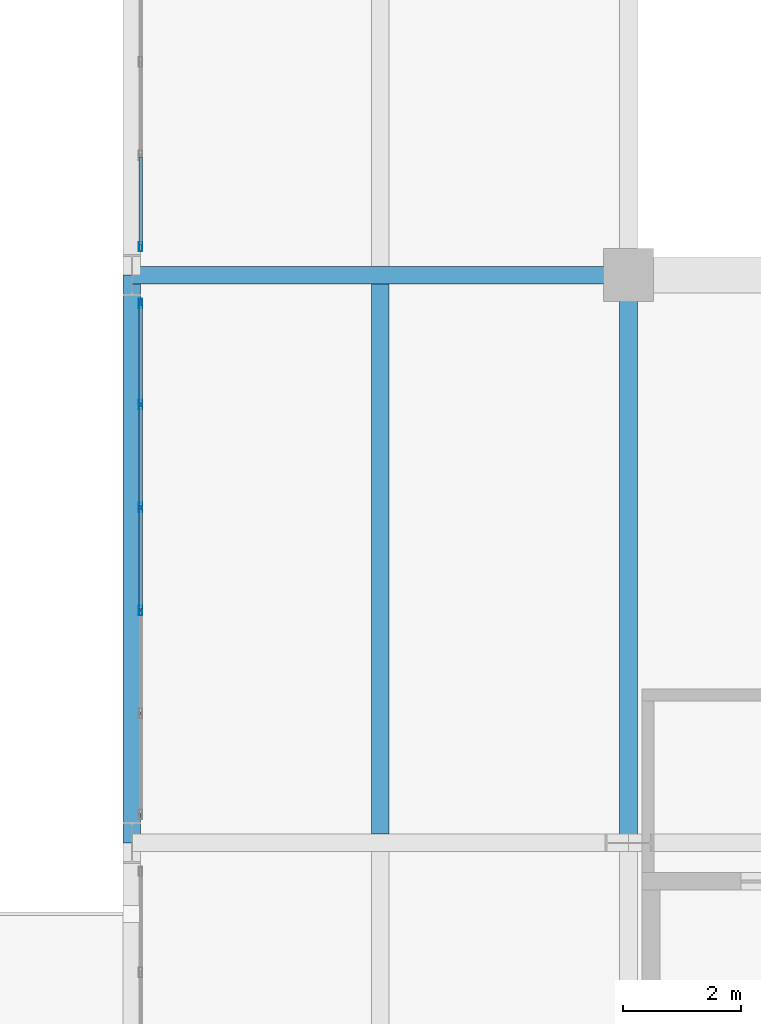
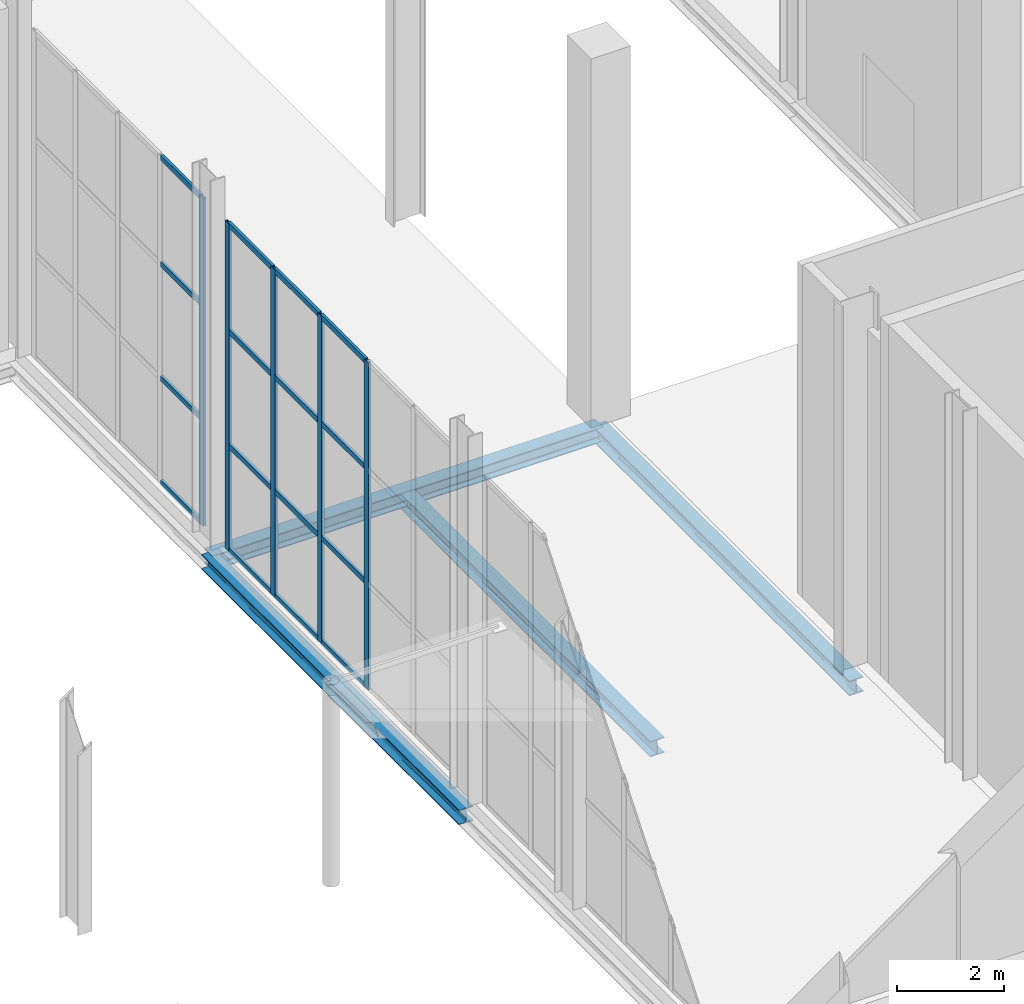
# One storey, part 19 of 131: 21 members, 4 beams, 2 elements without a shape of their own.
"""IFC4 building model written with IfcOpenShell, lengths in metres."""

from ifc_helpers import new_model, si_unit, direction, frame, origin, origin_2d, place, context, subcontext, project, spatial, hollow_rectangle, i_section, extrude, material, material_profile, profile_set, type_object, element, aggregate, save


model = new_model("IFC4")

# Units and contexts
model_context = context("Model", 3, precision=1e-05, world=origin(), true_north=direction((0.0, 1.0)))
body_context = subcontext(model_context, "Body", "Model", "MODEL_VIEW")
ifc_project = project(units=[si_unit("LENGTHUNIT", "METRE"), si_unit("AREAUNIT", "SQUARE_METRE"), si_unit("VOLUMEUNIT", "CUBIC_METRE"), si_unit("PLANEANGLEUNIT", "RADIAN"), si_unit("MASSUNIT", "GRAM", prefix="KILO")], contexts=[model_context])

# Site, building, storey
site_placement = place(None, origin())
site = spatial("IfcSite", under=ifc_project, at=site_placement, CompositionType="ELEMENT")
building_placement = place(site_placement, origin())
building = spatial("IfcBuilding", under=site, at=building_placement, Name="Veltarok Museum of Natural Sciences", CompositionType="ELEMENT")
storey_placement = place(building_placement, origin())
storey = spatial("IfcBuildingStorey", under=building, at=storey_placement, Name="L00", CompositionType="ELEMENT", Elevation=0.0)

# Curtain wall, members
ifc_material_1 = material(Name="Low-iron triple insulated glass", Category="glass")
curtain_wall_type_1 = type_object("IfcCurtainWallType", Name="Curtain Wall System CW-PAS-W-BC-870x745 (West Forecourt Passage B-C 870x745cm)", PredefinedType="NOTDEFINED", material=ifc_material_1)
curtain_wall_1_placement = place(storey_placement, origin())
curtain_wall_1 = element("IfcCurtainWall", 1, at=curtain_wall_1_placement, inside=storey, type_object=curtain_wall_type_1, Name="Curtain Wall CW-PAS-W-BC-870x745 CW-0022", PredefinedType="NOTDEFINED")
ifc_material_2 = material(Name="Thermally broken anodised aluminium", Category="aluminium")
ifc_material_profile_1 = material_profile(ifc_material_2, hollow_rectangle(XDim=0.06005859375, YDim=0.1201171875, WallThickness=0.0048828125, at=origin_2d()), Name="CW TRANSOM 60x120x5")
ifc_profile_set_1 = profile_set([ifc_material_profile_1], Name="Thermally broken anodised aluminium")
member_type_1 = type_object("IfcMemberType", Name="Curtain Wall Horizontal Transom 60x120x5", PredefinedType="USERDEFINED", material=ifc_profile_set_1)
member_1_placement = place(storey_placement, frame((23.35009765625, 13.56005859375, 0.030029296875), z_axis=(0.0, 1.0, 0.0), x_axis=(-1.0, 0.0, 0.0)))
member_1 = element("IfcMember", 2, at=member_1_placement, type_object=member_type_1, Name="CW-PAS-W-BC-870x745 transom 3.1", ObjectType="TRANSOM", PredefinedType="USERDEFINED", context=body_context, shape_type="SweptSolid", body=[
    extrude(hollow_rectangle(XDim=0.06005859375, YDim=0.1201171875, WallThickness=0.0048828125, at=origin_2d()), origin(), (0.0, 0.0, 1.0), 1.679931640625),
])
member_2_placement = place(storey_placement, frame((23.35009765625, 13.56005859375, 2.39990234375), z_axis=(0.0, 1.0, 0.0), x_axis=(-1.0, 0.0, 0.0)))
member_2 = element("IfcMember", 3, at=member_2_placement, type_object=member_type_1, Name="CW-PAS-W-BC-870x745 transom 3.2", ObjectType="TRANSOM", PredefinedType="USERDEFINED", context=body_context, shape_type="SweptSolid", body=[
    extrude(hollow_rectangle(XDim=0.06005859375, YDim=0.1201171875, WallThickness=0.0048828125, at=origin_2d()), origin(), (0.0, 0.0, 1.0), 1.679931640625),
])
member_3_placement = place(storey_placement, frame((23.35009765625, 13.56005859375, 5.0), z_axis=(0.0, 1.0, 0.0), x_axis=(-1.0, 0.0, 0.0)))
member_3 = element("IfcMember", 4, at=member_3_placement, type_object=member_type_1, Name="CW-PAS-W-BC-870x745 transom 3.3", ObjectType="TRANSOM", PredefinedType="USERDEFINED", context=body_context, shape_type="SweptSolid", body=[
    extrude(hollow_rectangle(XDim=0.06005859375, YDim=0.1201171875, WallThickness=0.0048828125, at=origin_2d()), origin(), (0.0, 0.0, 1.0), 1.679931640625),
])
member_4_placement = place(storey_placement, frame((23.35009765625, 13.56005859375, 7.419921875), z_axis=(0.0, 1.0, 0.0), x_axis=(-1.0, 0.0, 0.0)))
member_4 = element("IfcMember", 5, at=member_4_placement, type_object=member_type_1, Name="CW-PAS-W-BC-870x745 transom 3.4", ObjectType="TRANSOM", PredefinedType="USERDEFINED", context=body_context, shape_type="SweptSolid", body=[
    extrude(hollow_rectangle(XDim=0.06005859375, YDim=0.1201171875, WallThickness=0.0048828125, at=origin_2d()), origin(), (0.0, 0.0, 1.0), 1.679931640625),
])
member_5_placement = place(storey_placement, frame((23.35009765625, 15.300048828125, 0.030029296875), z_axis=(0.0, 1.0, 0.0), x_axis=(-1.0, 0.0, 0.0)))
member_5 = element("IfcMember", 6, at=member_5_placement, type_object=member_type_1, Name="CW-PAS-W-BC-870x745 transom 4.1", ObjectType="TRANSOM", PredefinedType="USERDEFINED", context=body_context, shape_type="SweptSolid", body=[
    extrude(hollow_rectangle(XDim=0.06005859375, YDim=0.1201171875, WallThickness=0.0048828125, at=origin_2d()), origin(), (0.0, 0.0, 1.0), 1.679931640625),
])
member_6_placement = place(storey_placement, frame((23.35009765625, 15.300048828125, 2.39990234375), z_axis=(0.0, 1.0, 0.0), x_axis=(-1.0, 0.0, 0.0)))
member_6 = element("IfcMember", 7, at=member_6_placement, type_object=member_type_1, Name="CW-PAS-W-BC-870x745 transom 4.2", ObjectType="TRANSOM", PredefinedType="USERDEFINED", context=body_context, shape_type="SweptSolid", body=[
    extrude(hollow_rectangle(XDim=0.06005859375, YDim=0.1201171875, WallThickness=0.0048828125, at=origin_2d()), origin(), (0.0, 0.0, 1.0), 1.679931640625),
])
member_7_placement = place(storey_placement, frame((23.35009765625, 15.300048828125, 5.0), z_axis=(0.0, 1.0, 0.0), x_axis=(-1.0, 0.0, 0.0)))
member_7 = element("IfcMember", 8, at=member_7_placement, type_object=member_type_1, Name="CW-PAS-W-BC-870x745 transom 4.3", ObjectType="TRANSOM", PredefinedType="USERDEFINED", context=body_context, shape_type="SweptSolid", body=[
    extrude(hollow_rectangle(XDim=0.06005859375, YDim=0.1201171875, WallThickness=0.0048828125, at=origin_2d()), origin(), (0.0, 0.0, 1.0), 1.679931640625),
])
member_8_placement = place(storey_placement, frame((23.35009765625, 15.300048828125, 7.419921875), z_axis=(0.0, 1.0, 0.0), x_axis=(-1.0, 0.0, 0.0)))
member_8 = element("IfcMember", 9, at=member_8_placement, type_object=member_type_1, Name="CW-PAS-W-BC-870x745 transom 4.4", ObjectType="TRANSOM", PredefinedType="USERDEFINED", context=body_context, shape_type="SweptSolid", body=[
    extrude(hollow_rectangle(XDim=0.06005859375, YDim=0.1201171875, WallThickness=0.0048828125, at=origin_2d()), origin(), (0.0, 0.0, 1.0), 1.679931640625),
])
member_9_placement = place(storey_placement, frame((23.35009765625, 17.0400390625, 0.030029296875), z_axis=(0.0, 1.0, 0.0), x_axis=(-1.0, 0.0, 0.0)))
member_9 = element("IfcMember", 10, at=member_9_placement, type_object=member_type_1, Name="CW-PAS-W-BC-870x745 transom 5.1", ObjectType="TRANSOM", PredefinedType="USERDEFINED", context=body_context, shape_type="SweptSolid", body=[
    extrude(hollow_rectangle(XDim=0.06005859375, YDim=0.1201171875, WallThickness=0.0048828125, at=origin_2d()), origin(), (0.0, 0.0, 1.0), 1.64990234375),
])
member_10_placement = place(storey_placement, frame((23.35009765625, 17.0400390625, 2.39990234375), z_axis=(0.0, 1.0, 0.0), x_axis=(-1.0, 0.0, 0.0)))
member_10 = element("IfcMember", 11, at=member_10_placement, type_object=member_type_1, Name="CW-PAS-W-BC-870x745 transom 5.2", ObjectType="TRANSOM", PredefinedType="USERDEFINED", context=body_context, shape_type="SweptSolid", body=[
    extrude(hollow_rectangle(XDim=0.06005859375, YDim=0.1201171875, WallThickness=0.0048828125, at=origin_2d()), origin(), (0.0, 0.0, 1.0), 1.64990234375),
])
member_11_placement = place(storey_placement, frame((23.35009765625, 17.0400390625, 5.0), z_axis=(0.0, 1.0, 0.0), x_axis=(-1.0, 0.0, 0.0)))
member_11 = element("IfcMember", 12, at=member_11_placement, type_object=member_type_1, Name="CW-PAS-W-BC-870x745 transom 5.3", ObjectType="TRANSOM", PredefinedType="USERDEFINED", context=body_context, shape_type="SweptSolid", body=[
    extrude(hollow_rectangle(XDim=0.06005859375, YDim=0.1201171875, WallThickness=0.0048828125, at=origin_2d()), origin(), (0.0, 0.0, 1.0), 1.64990234375),
])
member_12_placement = place(storey_placement, frame((23.35009765625, 17.0400390625, 7.419921875), z_axis=(0.0, 1.0, 0.0), x_axis=(-1.0, 0.0, 0.0)))
member_12 = element("IfcMember", 13, at=member_12_placement, type_object=member_type_1, Name="CW-PAS-W-BC-870x745 transom 5.4", ObjectType="TRANSOM", PredefinedType="USERDEFINED", context=body_context, shape_type="SweptSolid", body=[
    extrude(hollow_rectangle(XDim=0.06005859375, YDim=0.1201171875, WallThickness=0.0048828125, at=origin_2d()), origin(), (0.0, 0.0, 1.0), 1.64990234375),
])

curtain_wall_type_2 = type_object("IfcCurtainWallType", Name="Curtain Wall System CW-PAS-W-CD-630x745 (West Forecourt Passage C-D 630x745cm)", PredefinedType="NOTDEFINED", material=ifc_material_1)
curtain_wall_2_placement = place(storey_placement, origin())
curtain_wall_2 = element("IfcCurtainWall", 14, at=curtain_wall_2_placement, inside=storey, type_object=curtain_wall_type_2, Name="Curtain Wall CW-PAS-W-CD-630x745 CW-0023", PredefinedType="NOTDEFINED")
member_13_placement = place(storey_placement, frame((23.35009765625, 19.7099609375, 0.030029296875), z_axis=(0.0, 1.0, 0.0), x_axis=(-1.0, 0.0, 0.0)))
member_13 = element("IfcMember", 15, at=member_13_placement, type_object=member_type_1, Name="CW-PAS-W-CD-630x745 transom 1.1", ObjectType="TRANSOM", PredefinedType="USERDEFINED", context=body_context, shape_type="SweptSolid", body=[
    extrude(hollow_rectangle(XDim=0.06005859375, YDim=0.1201171875, WallThickness=0.0048828125, at=origin_2d()), origin(), (0.0, 0.0, 1.0), 1.485107421875),
])
member_14_placement = place(storey_placement, frame((23.35009765625, 19.7099609375, 2.39990234375), z_axis=(0.0, 1.0, 0.0), x_axis=(-1.0, 0.0, 0.0)))
member_14 = element("IfcMember", 16, at=member_14_placement, type_object=member_type_1, Name="CW-PAS-W-CD-630x745 transom 1.2", ObjectType="TRANSOM", PredefinedType="USERDEFINED", context=body_context, shape_type="SweptSolid", body=[
    extrude(hollow_rectangle(XDim=0.06005859375, YDim=0.1201171875, WallThickness=0.0048828125, at=origin_2d()), origin(), (0.0, 0.0, 1.0), 1.485107421875),
])
member_15_placement = place(storey_placement, frame((23.35009765625, 19.7099609375, 5.0), z_axis=(0.0, 1.0, 0.0), x_axis=(-1.0, 0.0, 0.0)))
member_15 = element("IfcMember", 17, at=member_15_placement, type_object=member_type_1, Name="CW-PAS-W-CD-630x745 transom 1.3", ObjectType="TRANSOM", PredefinedType="USERDEFINED", context=body_context, shape_type="SweptSolid", body=[
    extrude(hollow_rectangle(XDim=0.06005859375, YDim=0.1201171875, WallThickness=0.0048828125, at=origin_2d()), origin(), (0.0, 0.0, 1.0), 1.485107421875),
])
member_16_placement = place(storey_placement, frame((23.35009765625, 19.7099609375, 7.419921875), z_axis=(0.0, 1.0, 0.0), x_axis=(-1.0, 0.0, 0.0)))
member_16 = element("IfcMember", 18, at=member_16_placement, type_object=member_type_1, Name="CW-PAS-W-CD-630x745 transom 1.4", ObjectType="TRANSOM", PredefinedType="USERDEFINED", context=body_context, shape_type="SweptSolid", body=[
    extrude(hollow_rectangle(XDim=0.06005859375, YDim=0.1201171875, WallThickness=0.0048828125, at=origin_2d()), origin(), (0.0, 0.0, 1.0), 1.485107421875),
])

# Member
ifc_material_profile_2 = material_profile(ifc_material_2, hollow_rectangle(XDim=0.06005859375, YDim=0.159912109375, WallThickness=0.0048828125, at=origin_2d()), Name="CW MULLION 60x160x5")
ifc_profile_set_2 = profile_set([ifc_material_profile_2], Name="Thermally broken anodised aluminium")
member_type_2 = type_object("IfcMemberType", Name="Curtain Wall Vertical Mullion 60x160x5", PredefinedType="MULLION", material=ifc_profile_set_2)
member_17_placement = place(storey_placement, frame((23.35009765625, 13.530029296875, 0.0), z_axis=(0.0, 0.0, 1.0), x_axis=(-1.0, 0.0, 0.0)))
member_17 = element("IfcMember", 19, at=member_17_placement, type_object=member_type_2, Name="CW-PAS-W-BC-870x745 mullion 3", PredefinedType="MULLION", context=body_context, shape_type="SweptSolid", body=[
    extrude(hollow_rectangle(XDim=0.06005859375, YDim=0.159912109375, WallThickness=0.0048828125, at=origin_2d()), origin(), (0.0, 0.0, 1.0), 7.449951171875),
])

member_18_placement = place(storey_placement, frame((23.35009765625, 15.27001953125, 0.0), z_axis=(0.0, 0.0, 1.0), x_axis=(-1.0, 0.0, 0.0)))
member_18 = element("IfcMember", 20, at=member_18_placement, type_object=member_type_2, Name="CW-PAS-W-BC-870x745 mullion 4", PredefinedType="MULLION", context=body_context, shape_type="SweptSolid", body=[
    extrude(hollow_rectangle(XDim=0.06005859375, YDim=0.159912109375, WallThickness=0.0048828125, at=origin_2d()), origin(), (0.0, 0.0, 1.0), 7.449951171875),
])

member_19_placement = place(storey_placement, frame((23.35009765625, 17.010009765625, 0.0), z_axis=(0.0, 0.0, 1.0), x_axis=(-1.0, 0.0, 0.0)))
member_19 = element("IfcMember", 21, at=member_19_placement, type_object=member_type_2, Name="CW-PAS-W-BC-870x745 mullion 5", PredefinedType="MULLION", context=body_context, shape_type="SweptSolid", body=[
    extrude(hollow_rectangle(XDim=0.06005859375, YDim=0.159912109375, WallThickness=0.0048828125, at=origin_2d()), origin(), (0.0, 0.0, 1.0), 7.449951171875),
])

member_20_placement = place(storey_placement, frame((23.35009765625, 18.719970703125, 0.0), z_axis=(0.0, 0.0, 1.0), x_axis=(-1.0, 0.0, 0.0)))
member_20 = element("IfcMember", 22, at=member_20_placement, type_object=member_type_2, Name="CW-PAS-W-BC-870x745 mullion 6", PredefinedType="MULLION", context=body_context, shape_type="SweptSolid", body=[
    extrude(hollow_rectangle(XDim=0.06005859375, YDim=0.159912109375, WallThickness=0.0048828125, at=origin_2d()), origin(), (0.0, 0.0, 1.0), 7.449951171875),
])

aggregate(curtain_wall_1, [member_17, member_18, member_19, member_20, member_1, member_2, member_3, member_4, member_5, member_6, member_7, member_8, member_9, member_10, member_11, member_12])

member_21_placement = place(storey_placement, frame((23.35009765625, 19.679931640625, 0.0), z_axis=(0.0, 0.0, 1.0), x_axis=(-1.0, 0.0, 0.0)))
member_21 = element("IfcMember", 23, at=member_21_placement, type_object=member_type_2, Name="CW-PAS-W-CD-630x745 mullion 1", PredefinedType="MULLION", context=body_context, shape_type="SweptSolid", body=[
    extrude(hollow_rectangle(XDim=0.06005859375, YDim=0.159912109375, WallThickness=0.0048828125, at=origin_2d()), origin(), (0.0, 0.0, 1.0), 7.449951171875),
])

aggregate(curtain_wall_2, [member_21, member_13, member_14, member_15, member_16])

# Beams
ifc_material_3 = material(Name="Steel S355J2", Category="steel")
ifc_material_profile_3 = material_profile(ifc_material_3, i_section(OverallWidth=0.300048828125, OverallDepth=0.35009765625, WebThickness=0.010009765625, FlangeThickness=0.017578125, FilletRadius=0.027099609375, at=origin_2d()), Name="HEA 360")
ifc_profile_set_3 = profile_set([ifc_material_profile_3], Name="Steel S355J2")
beam_type_1 = type_object("IfcBeamType", Name="Long-Span Gallery Joist HEA 360", PredefinedType="JOIST", material=ifc_profile_set_3)
beam_1_placement = place(storey_placement, frame((27.39990234375, 9.748046875, -0.47509765625), z_axis=(0.0, 1.0, 0.0), x_axis=(-1.0, 0.0, 0.0)))
element("IfcBeam", 24, at=beam_1_placement, inside=storey, type_object=beam_type_1, Name="Secondary Joist BM-J07 L00 3-4/B-C.1", PredefinedType="JOIST", context=body_context, shape_type="SweptSolid", body=[
    extrude(i_section(OverallWidth=0.300048828125, OverallDepth=0.35009765625, WebThickness=0.010009765625, FlangeThickness=0.017578125, FilletRadius=0.027099609375, at=origin_2d()), origin(), (0.0, 0.0, 1.0), 9.303955078125),
])
ifc_material_profile_4 = material_profile(ifc_material_3, i_section(OverallWidth=0.300048828125, OverallDepth=0.340087890625, WebThickness=0.011962890625, FlangeThickness=0.021484375, FilletRadius=0.027099609375, at=origin_2d()), Name="HEB 340")
ifc_profile_set_4 = profile_set([ifc_material_profile_4], Name="Steel S355J2")
beam_type_2 = type_object("IfcBeamType", Name="Perimeter Bridge Spandrel HEB 340", PredefinedType="SPANDREL", material=ifc_profile_set_4)
beam_2_placement = place(storey_placement, frame((23.199951171875, 19.199951171875, -0.469970703125), z_axis=(1.0, 0.0, 0.0), x_axis=(0.0, 1.0, 0.0)))
element("IfcBeam", 25, at=beam_2_placement, inside=storey, type_object=beam_type_2, Name="Beam BM-SP07 L00 3-4/C", PredefinedType="SPANDREL", context=body_context, shape_type="SweptSolid", body=[
    extrude(i_section(OverallWidth=0.300048828125, OverallDepth=0.340087890625, WebThickness=0.011962890625, FlangeThickness=0.021484375, FilletRadius=0.027099609375, at=origin_2d()), origin(), (0.0, 0.0, 1.0), 8.400146484375),
])
for number, where, z_axis, x_axis, name in (
    (26, (23.199951171875, 9.60009765625, -0.469970703125), (0.0, 1.0, 0.0), (-1.0, 0.0, 0.0), "Beam BM-SP07 L00 3/B-C"),
    (27, (31.60009765625, 9.60009765625, -0.469970703125), (0.0, 1.0, 0.0), (-1.0, 0.0, 0.0), "Beam BM-SP07 L00 4/B-C"),
):
    element("IfcBeam", number, at=place(storey_placement, frame(where, z_axis=z_axis, x_axis=x_axis)), inside=storey, type_object=beam_type_2, Name=name, PredefinedType="SPANDREL", context=body_context, shape_type="SweptSolid", body=[
        extrude(i_section(OverallWidth=0.300048828125, OverallDepth=0.340087890625, WebThickness=0.011962890625, FlangeThickness=0.021484375, FilletRadius=0.027099609375, at=origin_2d()), origin(), (0.0, 0.0, 1.0), 9.599853515625),
    ])

save(model, "model.ifc")
